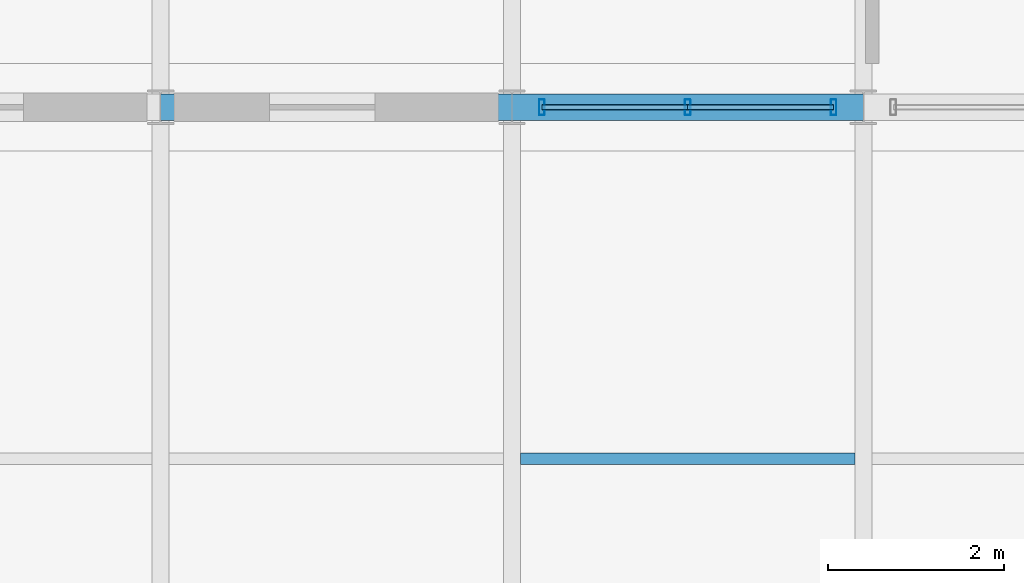
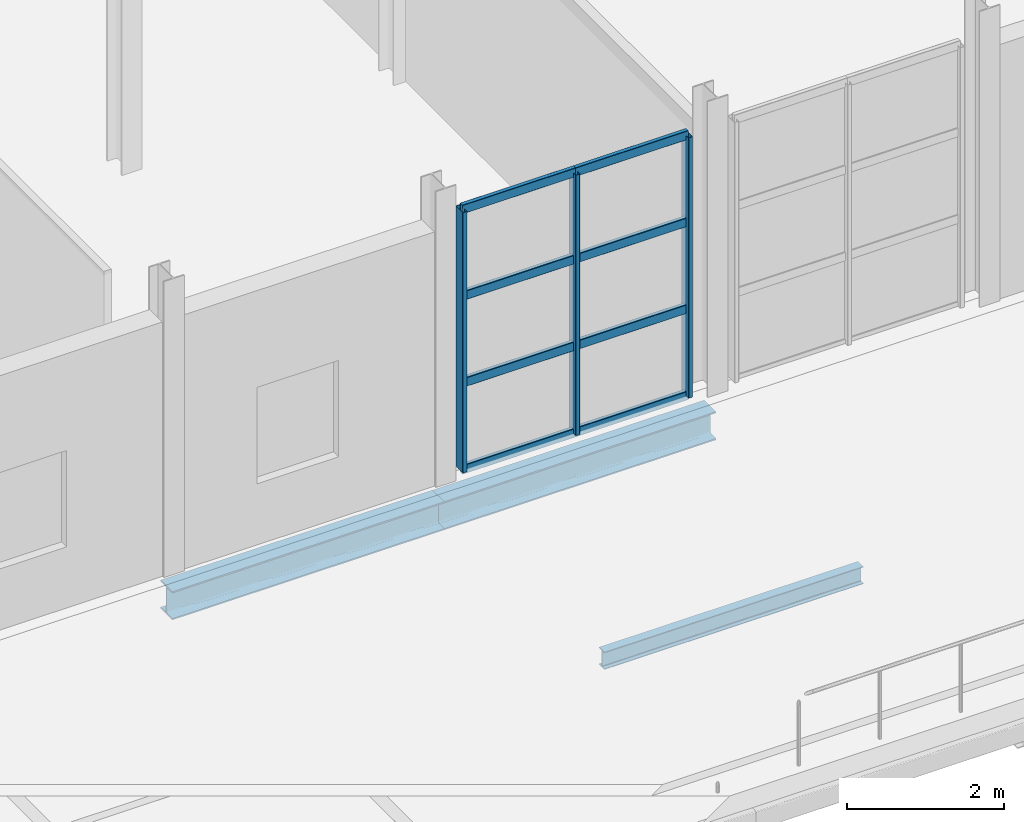
# One storey, part 46 of 67: 11 members, 3 beams, 1 element without a shape of its own.
"""IFC4 building model written with IfcOpenShell, lengths in metres."""

from ifc_helpers import new_model, si_unit, derived_unit, direction, frame, origin, origin_2d, place, context, subcontext, project, spatial, hollow_rectangle, i_section, extrude, material, material_profile, profile_set, type_object, element, aggregate, save


model = new_model("IFC4")

# Units and contexts
model_context = context("Model", 3, precision=1e-05, world=origin(), true_north=direction((0.0, 1.0)))
body_context = subcontext(model_context, "Body", "Model", "MODEL_VIEW")
ifc_project = project(units=[si_unit("LENGTHUNIT", "METRE"), si_unit("AREAUNIT", "SQUARE_METRE"), si_unit("VOLUMEUNIT", "CUBIC_METRE"), si_unit("PLANEANGLEUNIT", "RADIAN"), si_unit("MASSUNIT", "GRAM", prefix="KILO"), derived_unit("THERMALTRANSMITTANCEUNIT", [(si_unit("POWERUNIT", "WATT"), 1), (si_unit("LENGTHUNIT", "METRE"), -2), (si_unit("THERMODYNAMICTEMPERATUREUNIT", "KELVIN"), -1)])], contexts=[model_context])

# Site, building, storey
site_placement = place(None, origin())
site = spatial("IfcSite", under=ifc_project, at=site_placement, CompositionType="ELEMENT")
building_placement = place(site_placement, origin())
building = spatial("IfcBuilding", under=site, at=building_placement, Name="Keldorne Ridge Multi-Sports Centre", CompositionType="ELEMENT")
storey_placement = place(building_placement, frame((0.0, 0.0, 14.0)))
storey = spatial("IfcBuildingStorey", under=building, at=storey_placement, Name="L03", CompositionType="ELEMENT", Elevation=14.0)

# Beams
ifc_material_1 = material(Name="Steel S355", Category="steel")
ifc_material_profile_1 = material_profile(ifc_material_1, i_section(OverallWidth=0.300048828125, OverallDepth=0.43994140625, WebThickness=0.011474609375, FlangeThickness=0.02099609375, FilletRadius=0.027099609375, at=origin_2d()), Name="HEA 450")
ifc_profile_set_1 = profile_set([ifc_material_profile_1], Name="Steel S355")
beam_type_1 = type_object("IfcBeamType", Name="BM-B-09", PredefinedType="BEAM", material=ifc_profile_set_1)
for number, where, z_axis, x_axis, name in (
    (1, (128.0, 74.0, -0.52001953125), (1.0, 0.0, 0.0), (0.0, 1.0, 0.0), "L03 primary beam 5.74"),
    (2, (132.0, 74.0, -0.52001953125), (1.0, 0.0, 0.0), (0.0, 1.0, 0.0), "L03 primary beam 6.74"),
):
    element("IfcBeam", number, at=place(storey_placement, frame(where, z_axis=z_axis, x_axis=x_axis)), inside=storey, type_object=beam_type_1, Name=name, PredefinedType="BEAM", context=body_context, shape_type="SweptSolid", body=[
        extrude(i_section(OverallWidth=0.300048828125, OverallDepth=0.43994140625, WebThickness=0.011474609375, FlangeThickness=0.02099609375, FilletRadius=0.027099609375, at=origin_2d()), origin(), (0.0, 0.0, 1.0), 4.0),
    ])
ifc_material_profile_2 = material_profile(ifc_material_1, i_section(OverallWidth=0.135009765625, OverallDepth=0.27001953125, WebThickness=0.006591796875, FlangeThickness=0.01025390625, FilletRadius=0.014892578125, at=origin_2d()), Name="IPE 270")
ifc_profile_set_2 = profile_set([ifc_material_profile_2], Name="Steel S355")
beam_type_2 = type_object("IfcBeamType", Name="BM-J-03", PredefinedType="JOIST", material=ifc_profile_set_2)
beam_placement = place(storey_placement, frame((132.094970703125, 70.0, -0.43505859375), z_axis=(1.0, 0.0, 0.0), x_axis=(0.0, 1.0, 0.0)))
element("IfcBeam", 3, at=beam_placement, inside=storey, type_object=beam_type_2, Name="L03 secondary joist 6.1", PredefinedType="JOIST", context=body_context, shape_type="SweptSolid", body=[
    extrude(i_section(OverallWidth=0.135009765625, OverallDepth=0.27001953125, WebThickness=0.006591796875, FlangeThickness=0.01025390625, FilletRadius=0.014892578125, at=origin_2d()), origin(), (0.0, 0.0, 1.0), 3.81005859375),
])

# Curtain wall, members
ifc_material_2 = material(Name="Anodized aluminium", Category="aluminium")
curtain_wall_type = type_object("IfcCurtainWallType", Name="CW-CW-02", PredefinedType="NOTDEFINED", material=ifc_material_2)
curtain_wall_placement = place(storey_placement, origin())
curtain_wall = element("IfcCurtainWall", 4, at=curtain_wall_placement, inside=storey, type_object=curtain_wall_type, Name="East Wing L03 south curtain wall 154", PredefinedType="NOTDEFINED")
ifc_material_profile_3 = material_profile(ifc_material_2, hollow_rectangle(XDim=0.06494140625, YDim=0.179931640625, WallThickness=0.00439453125, InnerFilletRadius=0.00439453125, OuterFilletRadius=0.009033203125, at=origin_2d()), Name="ALU MULLION 180x65x4.5")
ifc_profile_set_3 = profile_set([ifc_material_profile_3], Name="Anodized aluminium")
member_type_1 = type_object("IfcMemberType", Name="MEM-ML-01", PredefinedType="MULLION", material=ifc_profile_set_3)
member_1_placement = place(storey_placement, frame((132.340087890625, 74.0, 0.0), z_axis=(0.0, 0.0, 1.0), x_axis=(1.0, 0.0, 0.0)))
member_1 = element("IfcMember", 5, at=member_1_placement, type_object=member_type_1, Name="CW-154 vertical mullion 1", PredefinedType="MULLION", context=body_context, shape_type="SweptSolid", body=[
    extrude(hollow_rectangle(XDim=0.06494140625, YDim=0.179931640625, WallThickness=0.00439453125, InnerFilletRadius=0.00439453125, OuterFilletRadius=0.009033203125, at=origin_2d()), origin(), (0.0, 0.0, 1.0), 4.050048828125),
])
member_2_placement = place(storey_placement, frame((134.0, 74.0, 0.0), z_axis=(0.0, 0.0, 1.0), x_axis=(1.0, 0.0, 0.0)))
member_2 = element("IfcMember", 6, at=member_2_placement, type_object=member_type_1, Name="CW-154 vertical mullion 2", PredefinedType="MULLION", context=body_context, shape_type="SweptSolid", body=[
    extrude(hollow_rectangle(XDim=0.06494140625, YDim=0.179931640625, WallThickness=0.00439453125, InnerFilletRadius=0.00439453125, OuterFilletRadius=0.009033203125, at=origin_2d()), origin(), (0.0, 0.0, 1.0), 4.050048828125),
])
member_3_placement = place(storey_placement, frame((135.659912109375, 74.0, 0.0), z_axis=(0.0, 0.0, 1.0), x_axis=(1.0, 0.0, 0.0)))
member_3 = element("IfcMember", 7, at=member_3_placement, type_object=member_type_1, Name="CW-154 vertical mullion 3", PredefinedType="MULLION", context=body_context, shape_type="SweptSolid", body=[
    extrude(hollow_rectangle(XDim=0.06494140625, YDim=0.179931640625, WallThickness=0.00439453125, InnerFilletRadius=0.00439453125, OuterFilletRadius=0.009033203125, at=origin_2d()), origin(), (0.0, 0.0, 1.0), 4.050048828125),
])
ifc_material_profile_4 = material_profile(ifc_material_2, hollow_rectangle(XDim=0.06494140625, YDim=0.139892578125, WallThickness=0.00439453125, InnerFilletRadius=0.00439453125, OuterFilletRadius=0.009033203125, at=origin_2d()), Name="ALU TRANSOM 140x65x4.5")
ifc_profile_set_4 = profile_set([ifc_material_profile_4], Name="Anodized aluminium")
member_type_2 = type_object("IfcMemberType", Name="MEM-TR-01", PredefinedType="USERDEFINED", material=ifc_profile_set_4)
member_4_placement = place(storey_placement, frame((132.340087890625, 74.0, 0.0), z_axis=(1.0, 0.0, 0.0), x_axis=(0.0, 1.0, 0.0)))
member_4 = element("IfcMember", 8, at=member_4_placement, type_object=member_type_2, Name="CW-154 transom 1.1", ObjectType="TRANSOM", PredefinedType="USERDEFINED", context=body_context, shape_type="SweptSolid", body=[
    extrude(hollow_rectangle(XDim=0.06494140625, YDim=0.139892578125, WallThickness=0.00439453125, InnerFilletRadius=0.00439453125, OuterFilletRadius=0.009033203125, at=origin_2d()), origin(), (0.0, 0.0, 1.0), 1.659912109375),
])
member_5_placement = place(storey_placement, frame((132.340087890625, 74.0, 1.35009765625), z_axis=(1.0, 0.0, 0.0), x_axis=(0.0, 1.0, 0.0)))
member_5 = element("IfcMember", 9, at=member_5_placement, type_object=member_type_2, Name="CW-154 transom 1.2", ObjectType="TRANSOM", PredefinedType="USERDEFINED", context=body_context, shape_type="SweptSolid", body=[
    extrude(hollow_rectangle(XDim=0.06494140625, YDim=0.139892578125, WallThickness=0.00439453125, InnerFilletRadius=0.00439453125, OuterFilletRadius=0.009033203125, at=origin_2d()), origin(), (0.0, 0.0, 1.0), 1.659912109375),
])
member_6_placement = place(storey_placement, frame((132.340087890625, 74.0, 2.699951171875), z_axis=(1.0, 0.0, 0.0), x_axis=(0.0, 1.0, 0.0)))
member_6 = element("IfcMember", 10, at=member_6_placement, type_object=member_type_2, Name="CW-154 transom 1.3", ObjectType="TRANSOM", PredefinedType="USERDEFINED", context=body_context, shape_type="SweptSolid", body=[
    extrude(hollow_rectangle(XDim=0.06494140625, YDim=0.139892578125, WallThickness=0.00439453125, InnerFilletRadius=0.00439453125, OuterFilletRadius=0.009033203125, at=origin_2d()), origin(), (0.0, 0.0, 1.0), 1.659912109375),
])
member_7_placement = place(storey_placement, frame((132.340087890625, 74.0, 4.050048828125), z_axis=(1.0, 0.0, 0.0), x_axis=(0.0, 1.0, 0.0)))
member_7 = element("IfcMember", 11, at=member_7_placement, type_object=member_type_2, Name="CW-154 transom 1.4", ObjectType="TRANSOM", PredefinedType="USERDEFINED", context=body_context, shape_type="SweptSolid", body=[
    extrude(hollow_rectangle(XDim=0.06494140625, YDim=0.139892578125, WallThickness=0.00439453125, InnerFilletRadius=0.00439453125, OuterFilletRadius=0.009033203125, at=origin_2d()), origin(), (0.0, 0.0, 1.0), 1.659912109375),
])
member_8_placement = place(storey_placement, frame((134.0, 74.0, 0.0), z_axis=(1.0, 0.0, 0.0), x_axis=(0.0, 1.0, 0.0)))
member_8 = element("IfcMember", 12, at=member_8_placement, type_object=member_type_2, Name="CW-154 transom 2.1", ObjectType="TRANSOM", PredefinedType="USERDEFINED", context=body_context, shape_type="SweptSolid", body=[
    extrude(hollow_rectangle(XDim=0.06494140625, YDim=0.139892578125, WallThickness=0.00439453125, InnerFilletRadius=0.00439453125, OuterFilletRadius=0.009033203125, at=origin_2d()), origin(), (0.0, 0.0, 1.0), 1.659912109375),
])
member_9_placement = place(storey_placement, frame((134.0, 74.0, 1.35009765625), z_axis=(1.0, 0.0, 0.0), x_axis=(0.0, 1.0, 0.0)))
member_9 = element("IfcMember", 13, at=member_9_placement, type_object=member_type_2, Name="CW-154 transom 2.2", ObjectType="TRANSOM", PredefinedType="USERDEFINED", context=body_context, shape_type="SweptSolid", body=[
    extrude(hollow_rectangle(XDim=0.06494140625, YDim=0.139892578125, WallThickness=0.00439453125, InnerFilletRadius=0.00439453125, OuterFilletRadius=0.009033203125, at=origin_2d()), origin(), (0.0, 0.0, 1.0), 1.659912109375),
])
member_10_placement = place(storey_placement, frame((134.0, 74.0, 2.699951171875), z_axis=(1.0, 0.0, 0.0), x_axis=(0.0, 1.0, 0.0)))
member_10 = element("IfcMember", 14, at=member_10_placement, type_object=member_type_2, Name="CW-154 transom 2.3", ObjectType="TRANSOM", PredefinedType="USERDEFINED", context=body_context, shape_type="SweptSolid", body=[
    extrude(hollow_rectangle(XDim=0.06494140625, YDim=0.139892578125, WallThickness=0.00439453125, InnerFilletRadius=0.00439453125, OuterFilletRadius=0.009033203125, at=origin_2d()), origin(), (0.0, 0.0, 1.0), 1.659912109375),
])
member_11_placement = place(storey_placement, frame((134.0, 74.0, 4.050048828125), z_axis=(1.0, 0.0, 0.0), x_axis=(0.0, 1.0, 0.0)))
member_11 = element("IfcMember", 15, at=member_11_placement, type_object=member_type_2, Name="CW-154 transom 2.4", ObjectType="TRANSOM", PredefinedType="USERDEFINED", context=body_context, shape_type="SweptSolid", body=[
    extrude(hollow_rectangle(XDim=0.06494140625, YDim=0.139892578125, WallThickness=0.00439453125, InnerFilletRadius=0.00439453125, OuterFilletRadius=0.009033203125, at=origin_2d()), origin(), (0.0, 0.0, 1.0), 1.659912109375),
])
aggregate(curtain_wall, [member_1, member_2, member_3, member_4, member_5, member_6, member_7, member_8, member_9, member_10, member_11])

save(model, "model.ifc")
